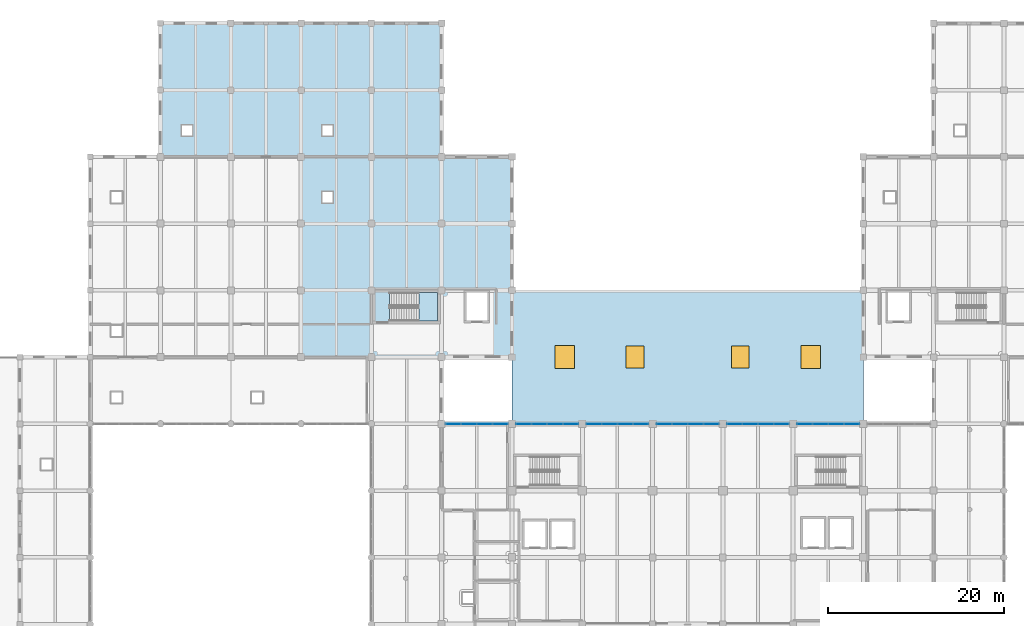
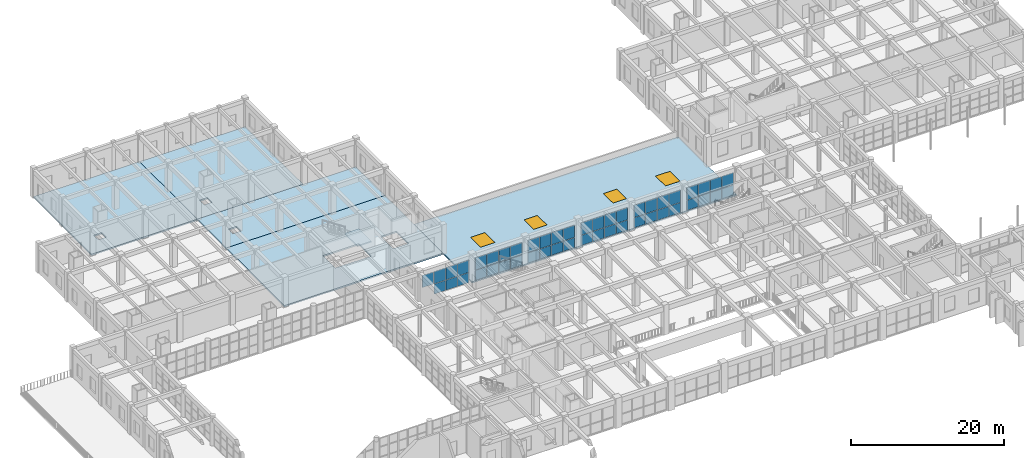
# One storey, part 67 of 101: 47 plates, 6 slabs, 4 windows, 4 openings, 7 elements without a shape of their own.
"""IFC4 building model written with IfcOpenShell, lengths in metres."""

from ifc_helpers import new_model, si_unit, direction, frame, origin, origin_2d, place, context, subcontext, project, spatial, polyline, rectangle, outline, extrude, material, layer, layer_set, type_object, element, fill, aggregate, save


model = new_model("IFC4")

# Units and contexts
model_context = context("Model", 3, precision=1e-05, world=origin(), true_north=direction((0.0, 1.0)))
body_context = subcontext(model_context, "Body", "Model", "MODEL_VIEW")
ifc_project = project(units=[si_unit("LENGTHUNIT", "METRE"), si_unit("AREAUNIT", "SQUARE_METRE"), si_unit("VOLUMEUNIT", "CUBIC_METRE"), si_unit("PLANEANGLEUNIT", "RADIAN"), si_unit("MASSUNIT", "GRAM", prefix="KILO")], contexts=[model_context])

# Site, building, storey
site_placement = place(None, origin())
site = spatial("IfcSite", under=ifc_project, at=site_placement, CompositionType="ELEMENT")
building_placement = place(site_placement, origin())
building = spatial("IfcBuilding", under=site, at=building_placement, Name="Zantavel Square City Hall", CompositionType="ELEMENT")
storey_placement = place(building_placement, frame((0.0, 0.0, 5.39990234375)))
storey = spatial("IfcBuildingStorey", under=building, at=storey_placement, Name="L02", CompositionType="ELEMENT", Elevation=5.39990234375)

# Stair, slab
ifc_material_1 = material(Name="Concrete C35/45", Category="concrete")
stair_type = type_object("IfcStairType", Name="Enclosed Core Dogleg Stair L02 H4800", PredefinedType="HALF_TURN_STAIR", material=ifc_material_1)
stair_placement = place(storey_placement, origin())
stair = element("IfcStair", 1, at=stair_placement, inside=storey, type_object=stair_type, Name="L02 Exit Stair 1 North-West Core", PredefinedType="HALF_TURN_STAIR")
ifc_layer_1 = layer(ifc_material_1, 0.2099609375, Name="Concrete C35/45")
ifc_layer_set_1 = layer_set([ifc_layer_1], Name="Concrete C35/45")
slab_type_1 = type_object("IfcSlabType", Name="Core Stair Half-Landing Slab C35/45", PredefinedType="LANDING", material=ifc_layer_set_1)
slab_1_placement = place(storey_placement, frame((0.0, 0.0, 2.2001953125)))
slab_1 = element("IfcSlab", 2, at=slab_1_placement, type_object=slab_type_1, Name="ST1 landing 1", PredefinedType="LANDING", context=body_context, shape_type="SweptSolid", body=[
    extrude(outline(polyline([(53.389892578125, 80.10009765625), (55.530029296875, 80.10009765625), (55.530029296875, 83.3701171875), (53.389892578125, 83.3701171875), (53.389892578125, 80.10009765625)])), origin(), (0.0, 0.0, 1.0), 0.199951171875),
])
aggregate(stair, [slab_1])

# Slab, openings, windows
ifc_layer_2 = layer(ifc_material_1, 0.219970703125, Name="Concrete C35/45")
ifc_layer_set_2 = layer_set([ifc_layer_2], Name="Concrete C35/45")
slab_type_2 = type_object("IfcSlabType", Name="Insulated Flat Roof Slab 220mm C35/45", PredefinedType="ROOF", material=ifc_layer_set_2)
slab_2_placement = place(storey_placement, frame((0.0, 0.0, -0.219970703125)))
slab_2 = element("IfcSlab", 3, at=slab_2_placement, inside=storey, type_object=slab_type_2, Name="L02 North Gallery Link Flat Roof Slab", PredefinedType="ROOF", context=body_context, shape_type="SweptSolid", body=[
    extrude(outline(polyline([(104.0, 68.39990234375), (96.0, 68.39990234375), (80.0, 68.39990234375), (72.0, 68.39990234375), (64.0, 68.39990234375), (64.0, 76.0), (64.0, 83.60009765625), (104.0, 83.60009765625), (104.0, 76.0), (104.0, 68.39990234375)])), origin(), (0.0, 0.0, 1.0), 0.219970703125),
])
opening_1_placement = place(slab_2_placement, frame((70.0, 76.0, 0.0)))
opening_1 = element("IfcOpeningElement", 4, at=opening_1_placement, cuts=slab_2, Name="Opening SK-01", PredefinedType="OPENING", context=body_context, shape_type="SweptSolid", body=[
    extrude(rectangle(XDim=2.199951171875, YDim=2.60009765625, at=origin_2d()), frame((0.0, 0.0, -0.02001953125)), (0.0, 0.0, 1.0), 0.260009765625),
])
opening_2_placement = place(slab_2_placement, frame((78.0, 76.0, 0.0)))
opening_2 = element("IfcOpeningElement", 5, at=opening_2_placement, cuts=slab_2, Name="Opening SK-02", PredefinedType="OPENING", context=body_context, shape_type="SweptSolid", body=[
    extrude(rectangle(XDim=2.0, YDim=2.5, at=origin_2d()), frame((0.0, 0.0, -0.02001953125)), (0.0, 0.0, 1.0), 0.260009765625),
])
opening_3_placement = place(slab_2_placement, frame((90.0, 76.0, 0.0)))
opening_3 = element("IfcOpeningElement", 6, at=opening_3_placement, cuts=slab_2, Name="Opening SK-03", PredefinedType="OPENING", context=body_context, shape_type="SweptSolid", body=[
    extrude(rectangle(XDim=2.0, YDim=2.5, at=origin_2d()), frame((0.0, 0.0, -0.02001953125)), (0.0, 0.0, 1.0), 0.260009765625),
])
opening_4_placement = place(slab_2_placement, frame((98.0, 76.0, 0.0)))
opening_4 = element("IfcOpeningElement", 7, at=opening_4_placement, cuts=slab_2, Name="Opening SK-04", PredefinedType="OPENING", context=body_context, shape_type="SweptSolid", body=[
    extrude(rectangle(XDim=2.199951171875, YDim=2.60009765625, at=origin_2d()), frame((0.0, 0.0, -0.02001953125)), (0.0, 0.0, 1.0), 0.260009765625),
])
ifc_material_2 = material(Name="Tempered safety glass low-E double glazing", Category="glass")
window_type_1 = type_object("IfcWindowType", Name="Skylight Atrium Lantern 2000x2500", PartitioningType="DOUBLE_PANEL_HORIZONTAL", PredefinedType="SKYLIGHT", material=ifc_material_2)
window_1_placement = place(opening_2_placement, frame((0.0, 0.0, 0.169921875)))
window_1 = element("IfcWindow", 8, at=window_1_placement, inside=storey, type_object=window_type_1, Name="L02 Roof Skylight SK-02", OverallHeight=2.5, OverallWidth=2.0, PartitioningType="SINGLE_PANEL", PredefinedType="SKYLIGHT", context=body_context, shape_type="SweptSolid", body=[
    extrude(rectangle(XDim=2.0, YDim=2.5, at=origin_2d()), origin(), (0.0, 0.0, 1.0), 0.050048828125),
])
fill(opening_2, window_1)
window_2_placement = place(opening_3_placement, frame((0.0, 0.0, 0.169921875)))
window_2 = element("IfcWindow", 9, at=window_2_placement, inside=storey, type_object=window_type_1, Name="L02 Roof Skylight SK-03", OverallHeight=2.5, OverallWidth=2.0, PartitioningType="SINGLE_PANEL", PredefinedType="SKYLIGHT", context=body_context, shape_type="SweptSolid", body=[
    extrude(rectangle(XDim=2.0, YDim=2.5, at=origin_2d()), origin(), (0.0, 0.0, 1.0), 0.050048828125),
])
fill(opening_3, window_2)
window_type_2 = type_object("IfcWindowType", Name="Skylight Concourse Lantern 2200x2600", PartitioningType="DOUBLE_PANEL_HORIZONTAL", PredefinedType="SKYLIGHT", material=ifc_material_2)
window_3_placement = place(opening_1_placement, frame((0.0, 0.0, 0.169921875)))
window_3 = element("IfcWindow", 10, at=window_3_placement, inside=storey, type_object=window_type_2, Name="L02 Roof Skylight SK-01", OverallHeight=2.60009765625, OverallWidth=2.199951171875, PartitioningType="SINGLE_PANEL", PredefinedType="SKYLIGHT", context=body_context, shape_type="SweptSolid", body=[
    extrude(rectangle(XDim=2.199951171875, YDim=2.60009765625, at=origin_2d()), origin(), (0.0, 0.0, 1.0), 0.050048828125),
])
fill(opening_1, window_3)
window_4_placement = place(opening_4_placement, frame((0.0, 0.0, 0.169921875)))
window_4 = element("IfcWindow", 11, at=window_4_placement, inside=storey, type_object=window_type_2, Name="L02 Roof Skylight SK-04", OverallHeight=2.60009765625, OverallWidth=2.199951171875, PartitioningType="SINGLE_PANEL", PredefinedType="SKYLIGHT", context=body_context, shape_type="SweptSolid", body=[
    extrude(rectangle(XDim=2.199951171875, YDim=2.60009765625, at=origin_2d()), origin(), (0.0, 0.0, 1.0), 0.050048828125),
])
fill(opening_4, window_4)

# Curtain wall, plates
ifc_material_3 = material(Name="Anodised aluminium 6063-T6", Category="aluminium")
curtain_wall_type_1 = type_object("IfcCurtainWallType", Name="Curtain Wall TRV1 7150x3740", PredefinedType="USERDEFINED", material=ifc_material_3)
curtain_wall_1_placement = place(storey_placement, origin())
curtain_wall_1 = element("IfcCurtainWall", 12, at=curtain_wall_1_placement, inside=storey, type_object=curtain_wall_type_1, Name="L02 Glazed Curtain Wall CW-L02-038", ObjectType="GLAZED CURTAIN WALL", PredefinedType="USERDEFINED")
ifc_layer_3 = layer(ifc_material_2, 0.028076171875, Name="Tempered safety glass low-E double glazing")
ifc_layer_set_3 = layer_set([ifc_layer_3], Name="Tempered safety glass low-E double glazing")
plate_type_1 = type_object("IfcPlateType", Name="Low-E Curtain Glazing Panel 1788x1870x28", PredefinedType="CURTAIN_PANEL", material=ifc_layer_set_3)
plate_1_placement = place(storey_placement, frame((65.333740234375, 68.39990234375, 0.06005859375), z_axis=(0.0, 0.0, 1.0), x_axis=(1.0, 0.0, 0.0)))
plate_1 = element("IfcPlate", 13, at=plate_1_placement, type_object=plate_type_1, Name="CW-038 panel 1.1", PredefinedType="CURTAIN_PANEL", context=body_context, shape_type="SweptSolid", body=[
    extrude(rectangle(XDim=1.697509765625, YDim=0.028076171875, at=origin_2d()), origin(), (0.0, 0.0, 1.0), 1.593017578125),
])
plate_2_placement = place(storey_placement, frame((65.333740234375, 68.39990234375, 1.712890625), z_axis=(0.0, 0.0, 1.0), x_axis=(1.0, 0.0, 0.0)))
plate_2 = element("IfcPlate", 14, at=plate_2_placement, type_object=plate_type_1, Name="CW-038 panel 1.2", PredefinedType="CURTAIN_PANEL", context=body_context, shape_type="SweptSolid", body=[
    extrude(rectangle(XDim=1.697509765625, YDim=0.028076171875, at=origin_2d()), origin(), (0.0, 0.0, 1.0), 1.967041015625),
])
plate_3_placement = place(storey_placement, frame((67.106201171875, 68.39990234375, 0.06005859375), z_axis=(0.0, 0.0, 1.0), x_axis=(1.0, 0.0, 0.0)))
plate_3 = element("IfcPlate", 15, at=plate_3_placement, type_object=plate_type_1, Name="CW-038 panel 2.1", PredefinedType="CURTAIN_PANEL", context=body_context, shape_type="SweptSolid", body=[
    extrude(rectangle(XDim=1.7275390625, YDim=0.028076171875, at=origin_2d()), origin(), (0.0, 0.0, 1.0), 1.593017578125),
])
plate_4_placement = place(storey_placement, frame((67.106201171875, 68.39990234375, 1.712890625), z_axis=(0.0, 0.0, 1.0), x_axis=(1.0, 0.0, 0.0)))
plate_4 = element("IfcPlate", 16, at=plate_4_placement, type_object=plate_type_1, Name="CW-038 panel 2.2", PredefinedType="CURTAIN_PANEL", context=body_context, shape_type="SweptSolid", body=[
    extrude(rectangle(XDim=1.7275390625, YDim=0.028076171875, at=origin_2d()), origin(), (0.0, 0.0, 1.0), 1.967041015625),
])
plate_5_placement = place(storey_placement, frame((68.893798828125, 68.39990234375, 0.06005859375), z_axis=(0.0, 0.0, 1.0), x_axis=(1.0, 0.0, 0.0)))
plate_5 = element("IfcPlate", 17, at=plate_5_placement, type_object=plate_type_1, Name="CW-038 panel 3.1", PredefinedType="CURTAIN_PANEL", context=body_context, shape_type="SweptSolid", body=[
    extrude(rectangle(XDim=1.7275390625, YDim=0.028076171875, at=origin_2d()), origin(), (0.0, 0.0, 1.0), 1.593017578125),
])
plate_6_placement = place(storey_placement, frame((68.893798828125, 68.39990234375, 1.712890625), z_axis=(0.0, 0.0, 1.0), x_axis=(1.0, 0.0, 0.0)))
plate_6 = element("IfcPlate", 18, at=plate_6_placement, type_object=plate_type_1, Name="CW-038 panel 3.2", PredefinedType="CURTAIN_PANEL", context=body_context, shape_type="SweptSolid", body=[
    extrude(rectangle(XDim=1.7275390625, YDim=0.028076171875, at=origin_2d()), origin(), (0.0, 0.0, 1.0), 1.967041015625),
])
plate_7_placement = place(storey_placement, frame((70.666259765625, 68.39990234375, 0.06005859375), z_axis=(0.0, 0.0, 1.0), x_axis=(1.0, 0.0, 0.0)))
plate_7 = element("IfcPlate", 19, at=plate_7_placement, type_object=plate_type_1, Name="CW-038 panel 4.1", PredefinedType="CURTAIN_PANEL", context=body_context, shape_type="SweptSolid", body=[
    extrude(rectangle(XDim=1.697509765625, YDim=0.028076171875, at=origin_2d()), origin(), (0.0, 0.0, 1.0), 1.593017578125),
])
plate_8_placement = place(storey_placement, frame((70.666259765625, 68.39990234375, 1.712890625), z_axis=(0.0, 0.0, 1.0), x_axis=(1.0, 0.0, 0.0)))
plate_8 = element("IfcPlate", 20, at=plate_8_placement, type_object=plate_type_1, Name="CW-038 panel 4.2", PredefinedType="CURTAIN_PANEL", context=body_context, shape_type="SweptSolid", body=[
    extrude(rectangle(XDim=1.697509765625, YDim=0.028076171875, at=origin_2d()), origin(), (0.0, 0.0, 1.0), 1.967041015625),
])
aggregate(curtain_wall_1, [plate_1, plate_2, plate_3, plate_4, plate_5, plate_6, plate_7, plate_8])

curtain_wall_2_placement = place(storey_placement, origin())
curtain_wall_2 = element("IfcCurtainWall", 21, at=curtain_wall_2_placement, inside=storey, type_object=curtain_wall_type_1, Name="L02 Glazed Curtain Wall CW-L02-039", ObjectType="GLAZED CURTAIN WALL", PredefinedType="USERDEFINED")
plate_9_placement = place(storey_placement, frame((73.333740234375, 68.39990234375, 0.06005859375), z_axis=(0.0, 0.0, 1.0), x_axis=(1.0, 0.0, 0.0)))
plate_9 = element("IfcPlate", 22, at=plate_9_placement, type_object=plate_type_1, Name="CW-039 panel 1.1", PredefinedType="CURTAIN_PANEL", context=body_context, shape_type="SweptSolid", body=[
    extrude(rectangle(XDim=1.697509765625, YDim=0.028076171875, at=origin_2d()), origin(), (0.0, 0.0, 1.0), 1.593017578125),
])
plate_10_placement = place(storey_placement, frame((73.333740234375, 68.39990234375, 1.712890625), z_axis=(0.0, 0.0, 1.0), x_axis=(1.0, 0.0, 0.0)))
plate_10 = element("IfcPlate", 23, at=plate_10_placement, type_object=plate_type_1, Name="CW-039 panel 1.2", PredefinedType="CURTAIN_PANEL", context=body_context, shape_type="SweptSolid", body=[
    extrude(rectangle(XDim=1.697509765625, YDim=0.028076171875, at=origin_2d()), origin(), (0.0, 0.0, 1.0), 1.967041015625),
])
plate_11_placement = place(storey_placement, frame((75.106201171875, 68.39990234375, 0.06005859375), z_axis=(0.0, 0.0, 1.0), x_axis=(1.0, 0.0, 0.0)))
plate_11 = element("IfcPlate", 24, at=plate_11_placement, type_object=plate_type_1, Name="CW-039 panel 2.1", PredefinedType="CURTAIN_PANEL", context=body_context, shape_type="SweptSolid", body=[
    extrude(rectangle(XDim=1.7275390625, YDim=0.028076171875, at=origin_2d()), origin(), (0.0, 0.0, 1.0), 1.593017578125),
])
plate_12_placement = place(storey_placement, frame((75.106201171875, 68.39990234375, 1.712890625), z_axis=(0.0, 0.0, 1.0), x_axis=(1.0, 0.0, 0.0)))
plate_12 = element("IfcPlate", 25, at=plate_12_placement, type_object=plate_type_1, Name="CW-039 panel 2.2", PredefinedType="CURTAIN_PANEL", context=body_context, shape_type="SweptSolid", body=[
    extrude(rectangle(XDim=1.7275390625, YDim=0.028076171875, at=origin_2d()), origin(), (0.0, 0.0, 1.0), 1.967041015625),
])
plate_13_placement = place(storey_placement, frame((76.893798828125, 68.39990234375, 0.06005859375), z_axis=(0.0, 0.0, 1.0), x_axis=(1.0, 0.0, 0.0)))
plate_13 = element("IfcPlate", 26, at=plate_13_placement, type_object=plate_type_1, Name="CW-039 panel 3.1", PredefinedType="CURTAIN_PANEL", context=body_context, shape_type="SweptSolid", body=[
    extrude(rectangle(XDim=1.7275390625, YDim=0.028076171875, at=origin_2d()), origin(), (0.0, 0.0, 1.0), 1.593017578125),
])
plate_14_placement = place(storey_placement, frame((76.893798828125, 68.39990234375, 1.712890625), z_axis=(0.0, 0.0, 1.0), x_axis=(1.0, 0.0, 0.0)))
plate_14 = element("IfcPlate", 27, at=plate_14_placement, type_object=plate_type_1, Name="CW-039 panel 3.2", PredefinedType="CURTAIN_PANEL", context=body_context, shape_type="SweptSolid", body=[
    extrude(rectangle(XDim=1.7275390625, YDim=0.028076171875, at=origin_2d()), origin(), (0.0, 0.0, 1.0), 1.967041015625),
])
plate_15_placement = place(storey_placement, frame((78.666259765625, 68.39990234375, 0.06005859375), z_axis=(0.0, 0.0, 1.0), x_axis=(1.0, 0.0, 0.0)))
plate_15 = element("IfcPlate", 28, at=plate_15_placement, type_object=plate_type_1, Name="CW-039 panel 4.1", PredefinedType="CURTAIN_PANEL", context=body_context, shape_type="SweptSolid", body=[
    extrude(rectangle(XDim=1.697509765625, YDim=0.028076171875, at=origin_2d()), origin(), (0.0, 0.0, 1.0), 1.593017578125),
])
plate_16_placement = place(storey_placement, frame((78.666259765625, 68.39990234375, 1.712890625), z_axis=(0.0, 0.0, 1.0), x_axis=(1.0, 0.0, 0.0)))
plate_16 = element("IfcPlate", 29, at=plate_16_placement, type_object=plate_type_1, Name="CW-039 panel 4.2", PredefinedType="CURTAIN_PANEL", context=body_context, shape_type="SweptSolid", body=[
    extrude(rectangle(XDim=1.697509765625, YDim=0.028076171875, at=origin_2d()), origin(), (0.0, 0.0, 1.0), 1.967041015625),
])
aggregate(curtain_wall_2, [plate_9, plate_10, plate_11, plate_12, plate_13, plate_14, plate_15, plate_16])

curtain_wall_3_placement = place(storey_placement, origin())
curtain_wall_3 = element("IfcCurtainWall", 30, at=curtain_wall_3_placement, inside=storey, type_object=curtain_wall_type_1, Name="L02 Glazed Curtain Wall CW-L02-040", ObjectType="GLAZED CURTAIN WALL", PredefinedType="USERDEFINED")
plate_17_placement = place(storey_placement, frame((81.333740234375, 68.39990234375, 0.06005859375), z_axis=(0.0, 0.0, 1.0), x_axis=(1.0, 0.0, 0.0)))
plate_17 = element("IfcPlate", 31, at=plate_17_placement, type_object=plate_type_1, Name="CW-040 panel 1.1", PredefinedType="CURTAIN_PANEL", context=body_context, shape_type="SweptSolid", body=[
    extrude(rectangle(XDim=1.697509765625, YDim=0.028076171875, at=origin_2d()), origin(), (0.0, 0.0, 1.0), 1.593017578125),
])
plate_18_placement = place(storey_placement, frame((81.333740234375, 68.39990234375, 1.712890625), z_axis=(0.0, 0.0, 1.0), x_axis=(1.0, 0.0, 0.0)))
plate_18 = element("IfcPlate", 32, at=plate_18_placement, type_object=plate_type_1, Name="CW-040 panel 1.2", PredefinedType="CURTAIN_PANEL", context=body_context, shape_type="SweptSolid", body=[
    extrude(rectangle(XDim=1.697509765625, YDim=0.028076171875, at=origin_2d()), origin(), (0.0, 0.0, 1.0), 1.967041015625),
])
plate_19_placement = place(storey_placement, frame((83.106201171875, 68.39990234375, 0.06005859375), z_axis=(0.0, 0.0, 1.0), x_axis=(1.0, 0.0, 0.0)))
plate_19 = element("IfcPlate", 33, at=plate_19_placement, type_object=plate_type_1, Name="CW-040 panel 2.1", PredefinedType="CURTAIN_PANEL", context=body_context, shape_type="SweptSolid", body=[
    extrude(rectangle(XDim=1.7275390625, YDim=0.028076171875, at=origin_2d()), origin(), (0.0, 0.0, 1.0), 1.593017578125),
])
plate_20_placement = place(storey_placement, frame((83.106201171875, 68.39990234375, 1.712890625), z_axis=(0.0, 0.0, 1.0), x_axis=(1.0, 0.0, 0.0)))
plate_20 = element("IfcPlate", 34, at=plate_20_placement, type_object=plate_type_1, Name="CW-040 panel 2.2", PredefinedType="CURTAIN_PANEL", context=body_context, shape_type="SweptSolid", body=[
    extrude(rectangle(XDim=1.7275390625, YDim=0.028076171875, at=origin_2d()), origin(), (0.0, 0.0, 1.0), 1.967041015625),
])
plate_21_placement = place(storey_placement, frame((84.893798828125, 68.39990234375, 0.06005859375), z_axis=(0.0, 0.0, 1.0), x_axis=(1.0, 0.0, 0.0)))
plate_21 = element("IfcPlate", 35, at=plate_21_placement, type_object=plate_type_1, Name="CW-040 panel 3.1", PredefinedType="CURTAIN_PANEL", context=body_context, shape_type="SweptSolid", body=[
    extrude(rectangle(XDim=1.7275390625, YDim=0.028076171875, at=origin_2d()), origin(), (0.0, 0.0, 1.0), 1.593017578125),
])
plate_22_placement = place(storey_placement, frame((84.893798828125, 68.39990234375, 1.712890625), z_axis=(0.0, 0.0, 1.0), x_axis=(1.0, 0.0, 0.0)))
plate_22 = element("IfcPlate", 36, at=plate_22_placement, type_object=plate_type_1, Name="CW-040 panel 3.2", PredefinedType="CURTAIN_PANEL", context=body_context, shape_type="SweptSolid", body=[
    extrude(rectangle(XDim=1.7275390625, YDim=0.028076171875, at=origin_2d()), origin(), (0.0, 0.0, 1.0), 1.967041015625),
])
plate_23_placement = place(storey_placement, frame((86.666259765625, 68.39990234375, 0.06005859375), z_axis=(0.0, 0.0, 1.0), x_axis=(1.0, 0.0, 0.0)))
plate_23 = element("IfcPlate", 37, at=plate_23_placement, type_object=plate_type_1, Name="CW-040 panel 4.1", PredefinedType="CURTAIN_PANEL", context=body_context, shape_type="SweptSolid", body=[
    extrude(rectangle(XDim=1.697509765625, YDim=0.028076171875, at=origin_2d()), origin(), (0.0, 0.0, 1.0), 1.593017578125),
])
plate_24_placement = place(storey_placement, frame((86.666259765625, 68.39990234375, 1.712890625), z_axis=(0.0, 0.0, 1.0), x_axis=(1.0, 0.0, 0.0)))
plate_24 = element("IfcPlate", 38, at=plate_24_placement, type_object=plate_type_1, Name="CW-040 panel 4.2", PredefinedType="CURTAIN_PANEL", context=body_context, shape_type="SweptSolid", body=[
    extrude(rectangle(XDim=1.697509765625, YDim=0.028076171875, at=origin_2d()), origin(), (0.0, 0.0, 1.0), 1.967041015625),
])
aggregate(curtain_wall_3, [plate_17, plate_18, plate_19, plate_20, plate_21, plate_22, plate_23, plate_24])

curtain_wall_4_placement = place(storey_placement, origin())
curtain_wall_4 = element("IfcCurtainWall", 39, at=curtain_wall_4_placement, inside=storey, type_object=curtain_wall_type_1, Name="L02 Glazed Curtain Wall CW-L02-041", ObjectType="GLAZED CURTAIN WALL", PredefinedType="USERDEFINED")
plate_25_placement = place(storey_placement, frame((89.333740234375, 68.39990234375, 0.06005859375), z_axis=(0.0, 0.0, 1.0), x_axis=(1.0, 0.0, 0.0)))
plate_25 = element("IfcPlate", 40, at=plate_25_placement, type_object=plate_type_1, Name="CW-041 panel 1.1", PredefinedType="CURTAIN_PANEL", context=body_context, shape_type="SweptSolid", body=[
    extrude(rectangle(XDim=1.697509765625, YDim=0.028076171875, at=origin_2d()), origin(), (0.0, 0.0, 1.0), 1.593017578125),
])
plate_26_placement = place(storey_placement, frame((89.333740234375, 68.39990234375, 1.712890625), z_axis=(0.0, 0.0, 1.0), x_axis=(1.0, 0.0, 0.0)))
plate_26 = element("IfcPlate", 41, at=plate_26_placement, type_object=plate_type_1, Name="CW-041 panel 1.2", PredefinedType="CURTAIN_PANEL", context=body_context, shape_type="SweptSolid", body=[
    extrude(rectangle(XDim=1.697509765625, YDim=0.028076171875, at=origin_2d()), origin(), (0.0, 0.0, 1.0), 1.967041015625),
])
plate_27_placement = place(storey_placement, frame((91.106201171875, 68.39990234375, 0.06005859375), z_axis=(0.0, 0.0, 1.0), x_axis=(1.0, 0.0, 0.0)))
plate_27 = element("IfcPlate", 42, at=plate_27_placement, type_object=plate_type_1, Name="CW-041 panel 2.1", PredefinedType="CURTAIN_PANEL", context=body_context, shape_type="SweptSolid", body=[
    extrude(rectangle(XDim=1.7275390625, YDim=0.028076171875, at=origin_2d()), origin(), (0.0, 0.0, 1.0), 1.593017578125),
])
plate_28_placement = place(storey_placement, frame((91.106201171875, 68.39990234375, 1.712890625), z_axis=(0.0, 0.0, 1.0), x_axis=(1.0, 0.0, 0.0)))
plate_28 = element("IfcPlate", 43, at=plate_28_placement, type_object=plate_type_1, Name="CW-041 panel 2.2", PredefinedType="CURTAIN_PANEL", context=body_context, shape_type="SweptSolid", body=[
    extrude(rectangle(XDim=1.7275390625, YDim=0.028076171875, at=origin_2d()), origin(), (0.0, 0.0, 1.0), 1.967041015625),
])
plate_29_placement = place(storey_placement, frame((92.893798828125, 68.39990234375, 0.06005859375), z_axis=(0.0, 0.0, 1.0), x_axis=(1.0, 0.0, 0.0)))
plate_29 = element("IfcPlate", 44, at=plate_29_placement, type_object=plate_type_1, Name="CW-041 panel 3.1", PredefinedType="CURTAIN_PANEL", context=body_context, shape_type="SweptSolid", body=[
    extrude(rectangle(XDim=1.7275390625, YDim=0.028076171875, at=origin_2d()), origin(), (0.0, 0.0, 1.0), 1.593017578125),
])
plate_30_placement = place(storey_placement, frame((92.893798828125, 68.39990234375, 1.712890625), z_axis=(0.0, 0.0, 1.0), x_axis=(1.0, 0.0, 0.0)))
plate_30 = element("IfcPlate", 45, at=plate_30_placement, type_object=plate_type_1, Name="CW-041 panel 3.2", PredefinedType="CURTAIN_PANEL", context=body_context, shape_type="SweptSolid", body=[
    extrude(rectangle(XDim=1.7275390625, YDim=0.028076171875, at=origin_2d()), origin(), (0.0, 0.0, 1.0), 1.967041015625),
])
plate_31_placement = place(storey_placement, frame((94.666259765625, 68.39990234375, 0.06005859375), z_axis=(0.0, 0.0, 1.0), x_axis=(1.0, 0.0, 0.0)))
plate_31 = element("IfcPlate", 46, at=plate_31_placement, type_object=plate_type_1, Name="CW-041 panel 4.1", PredefinedType="CURTAIN_PANEL", context=body_context, shape_type="SweptSolid", body=[
    extrude(rectangle(XDim=1.697509765625, YDim=0.028076171875, at=origin_2d()), origin(), (0.0, 0.0, 1.0), 1.593017578125),
])
plate_32_placement = place(storey_placement, frame((94.666259765625, 68.39990234375, 1.712890625), z_axis=(0.0, 0.0, 1.0), x_axis=(1.0, 0.0, 0.0)))
plate_32 = element("IfcPlate", 47, at=plate_32_placement, type_object=plate_type_1, Name="CW-041 panel 4.2", PredefinedType="CURTAIN_PANEL", context=body_context, shape_type="SweptSolid", body=[
    extrude(rectangle(XDim=1.697509765625, YDim=0.028076171875, at=origin_2d()), origin(), (0.0, 0.0, 1.0), 1.967041015625),
])
aggregate(curtain_wall_4, [plate_25, plate_26, plate_27, plate_28, plate_29, plate_30, plate_31, plate_32])

curtain_wall_5_placement = place(storey_placement, origin())
curtain_wall_5 = element("IfcCurtainWall", 48, at=curtain_wall_5_placement, inside=storey, type_object=curtain_wall_type_1, Name="L02 Glazed Curtain Wall CW-L02-042", ObjectType="GLAZED CURTAIN WALL", PredefinedType="USERDEFINED")
plate_33_placement = place(storey_placement, frame((97.333740234375, 68.39990234375, 0.06005859375), z_axis=(0.0, 0.0, 1.0), x_axis=(1.0, 0.0, 0.0)))
plate_33 = element("IfcPlate", 49, at=plate_33_placement, type_object=plate_type_1, Name="CW-042 panel 1.1", PredefinedType="CURTAIN_PANEL", context=body_context, shape_type="SweptSolid", body=[
    extrude(rectangle(XDim=1.697509765625, YDim=0.028076171875, at=origin_2d()), origin(), (0.0, 0.0, 1.0), 1.593017578125),
])
plate_34_placement = place(storey_placement, frame((97.333740234375, 68.39990234375, 1.712890625), z_axis=(0.0, 0.0, 1.0), x_axis=(1.0, 0.0, 0.0)))
plate_34 = element("IfcPlate", 50, at=plate_34_placement, type_object=plate_type_1, Name="CW-042 panel 1.2", PredefinedType="CURTAIN_PANEL", context=body_context, shape_type="SweptSolid", body=[
    extrude(rectangle(XDim=1.697509765625, YDim=0.028076171875, at=origin_2d()), origin(), (0.0, 0.0, 1.0), 1.967041015625),
])
plate_35_placement = place(storey_placement, frame((99.106201171875, 68.39990234375, 0.06005859375), z_axis=(0.0, 0.0, 1.0), x_axis=(1.0, 0.0, 0.0)))
plate_35 = element("IfcPlate", 51, at=plate_35_placement, type_object=plate_type_1, Name="CW-042 panel 2.1", PredefinedType="CURTAIN_PANEL", context=body_context, shape_type="SweptSolid", body=[
    extrude(rectangle(XDim=1.7275390625, YDim=0.028076171875, at=origin_2d()), origin(), (0.0, 0.0, 1.0), 1.593017578125),
])
plate_36_placement = place(storey_placement, frame((99.106201171875, 68.39990234375, 1.712890625), z_axis=(0.0, 0.0, 1.0), x_axis=(1.0, 0.0, 0.0)))
plate_36 = element("IfcPlate", 52, at=plate_36_placement, type_object=plate_type_1, Name="CW-042 panel 2.2", PredefinedType="CURTAIN_PANEL", context=body_context, shape_type="SweptSolid", body=[
    extrude(rectangle(XDim=1.7275390625, YDim=0.028076171875, at=origin_2d()), origin(), (0.0, 0.0, 1.0), 1.967041015625),
])
plate_37_placement = place(storey_placement, frame((100.893798828125, 68.39990234375, 0.06005859375), z_axis=(0.0, 0.0, 1.0), x_axis=(1.0, 0.0, 0.0)))
plate_37 = element("IfcPlate", 53, at=plate_37_placement, type_object=plate_type_1, Name="CW-042 panel 3.1", PredefinedType="CURTAIN_PANEL", context=body_context, shape_type="SweptSolid", body=[
    extrude(rectangle(XDim=1.7275390625, YDim=0.028076171875, at=origin_2d()), origin(), (0.0, 0.0, 1.0), 1.593017578125),
])
plate_38_placement = place(storey_placement, frame((100.893798828125, 68.39990234375, 1.712890625), z_axis=(0.0, 0.0, 1.0), x_axis=(1.0, 0.0, 0.0)))
plate_38 = element("IfcPlate", 54, at=plate_38_placement, type_object=plate_type_1, Name="CW-042 panel 3.2", PredefinedType="CURTAIN_PANEL", context=body_context, shape_type="SweptSolid", body=[
    extrude(rectangle(XDim=1.7275390625, YDim=0.028076171875, at=origin_2d()), origin(), (0.0, 0.0, 1.0), 1.967041015625),
])
plate_39_placement = place(storey_placement, frame((102.666259765625, 68.39990234375, 0.06005859375), z_axis=(0.0, 0.0, 1.0), x_axis=(1.0, 0.0, 0.0)))
plate_39 = element("IfcPlate", 55, at=plate_39_placement, type_object=plate_type_1, Name="CW-042 panel 4.1", PredefinedType="CURTAIN_PANEL", context=body_context, shape_type="SweptSolid", body=[
    extrude(rectangle(XDim=1.697509765625, YDim=0.028076171875, at=origin_2d()), origin(), (0.0, 0.0, 1.0), 1.593017578125),
])
plate_40_placement = place(storey_placement, frame((102.666259765625, 68.39990234375, 1.712890625), z_axis=(0.0, 0.0, 1.0), x_axis=(1.0, 0.0, 0.0)))
plate_40 = element("IfcPlate", 56, at=plate_40_placement, type_object=plate_type_1, Name="CW-042 panel 4.2", PredefinedType="CURTAIN_PANEL", context=body_context, shape_type="SweptSolid", body=[
    extrude(rectangle(XDim=1.697509765625, YDim=0.028076171875, at=origin_2d()), origin(), (0.0, 0.0, 1.0), 1.967041015625),
])
aggregate(curtain_wall_5, [plate_33, plate_34, plate_35, plate_36, plate_37, plate_38, plate_39, plate_40])

curtain_wall_type_2 = type_object("IfcCurtainWallType", Name="Curtain Wall TRV1 7175x3740", PredefinedType="USERDEFINED", material=ifc_material_3)
curtain_wall_6_placement = place(storey_placement, origin())
curtain_wall_6 = element("IfcCurtainWall", 57, at=curtain_wall_6_placement, inside=storey, type_object=curtain_wall_type_2, Name="L02 Glazed Curtain Wall CW-L02-037", ObjectType="GLAZED CURTAIN WALL", PredefinedType="USERDEFINED")
ifc_layer_4 = layer(ifc_material_2, 0.028076171875, Name="Tempered safety glass low-E double glazing")
ifc_layer_set_4 = layer_set([ifc_layer_4], Name="Tempered safety glass low-E double glazing")
plate_type_2 = type_object("IfcPlateType", Name="Low-E Curtain Glazing Panel 1794x1870x28", PredefinedType="CURTAIN_PANEL", material=ifc_layer_set_4)
plate_41_placement = place(storey_placement, frame((57.311767578125, 68.39990234375, 1.712890625), z_axis=(0.0, 0.0, 1.0), x_axis=(1.0, 0.0, 0.0)))
plate_41 = element("IfcPlate", 58, at=plate_41_placement, type_object=plate_type_2, Name="CW-037 panel 1.2", PredefinedType="CURTAIN_PANEL", context=body_context, shape_type="SweptSolid", body=[
    extrude(rectangle(XDim=1.703857421875, YDim=0.028076171875, at=origin_2d()), origin(), (0.0, 0.0, 1.0), 1.967041015625),
])
plate_42_placement = place(storey_placement, frame((59.090576171875, 68.39990234375, 0.06005859375), z_axis=(0.0, 0.0, 1.0), x_axis=(1.0, 0.0, 0.0)))
plate_42 = element("IfcPlate", 59, at=plate_42_placement, type_object=plate_type_2, Name="CW-037 panel 2.1", PredefinedType="CURTAIN_PANEL", context=body_context, shape_type="SweptSolid", body=[
    extrude(rectangle(XDim=1.733642578125, YDim=0.028076171875, at=origin_2d()), origin(), (0.0, 0.0, 1.0), 1.593017578125),
])
plate_43_placement = place(storey_placement, frame((59.090576171875, 68.39990234375, 1.712890625), z_axis=(0.0, 0.0, 1.0), x_axis=(1.0, 0.0, 0.0)))
plate_43 = element("IfcPlate", 60, at=plate_43_placement, type_object=plate_type_2, Name="CW-037 panel 2.2", PredefinedType="CURTAIN_PANEL", context=body_context, shape_type="SweptSolid", body=[
    extrude(rectangle(XDim=1.733642578125, YDim=0.028076171875, at=origin_2d()), origin(), (0.0, 0.0, 1.0), 1.967041015625),
])
plate_44_placement = place(storey_placement, frame((60.88427734375, 68.39990234375, 0.06005859375), z_axis=(0.0, 0.0, 1.0), x_axis=(1.0, 0.0, 0.0)))
plate_44 = element("IfcPlate", 61, at=plate_44_placement, type_object=plate_type_2, Name="CW-037 panel 3.1", PredefinedType="CURTAIN_PANEL", context=body_context, shape_type="SweptSolid", body=[
    extrude(rectangle(XDim=1.733642578125, YDim=0.028076171875, at=origin_2d()), origin(), (0.0, 0.0, 1.0), 1.593017578125),
])
plate_45_placement = place(storey_placement, frame((60.88427734375, 68.39990234375, 1.712890625), z_axis=(0.0, 0.0, 1.0), x_axis=(1.0, 0.0, 0.0)))
plate_45 = element("IfcPlate", 62, at=plate_45_placement, type_object=plate_type_2, Name="CW-037 panel 3.2", PredefinedType="CURTAIN_PANEL", context=body_context, shape_type="SweptSolid", body=[
    extrude(rectangle(XDim=1.733642578125, YDim=0.028076171875, at=origin_2d()), origin(), (0.0, 0.0, 1.0), 1.967041015625),
])
plate_46_placement = place(storey_placement, frame((62.6630859375, 68.39990234375, 0.06005859375), z_axis=(0.0, 0.0, 1.0), x_axis=(1.0, 0.0, 0.0)))
plate_46 = element("IfcPlate", 63, at=plate_46_placement, type_object=plate_type_2, Name="CW-037 panel 4.1", PredefinedType="CURTAIN_PANEL", context=body_context, shape_type="SweptSolid", body=[
    extrude(rectangle(XDim=1.703857421875, YDim=0.028076171875, at=origin_2d()), origin(), (0.0, 0.0, 1.0), 1.593017578125),
])
plate_47_placement = place(storey_placement, frame((62.6630859375, 68.39990234375, 1.712890625), z_axis=(0.0, 0.0, 1.0), x_axis=(1.0, 0.0, 0.0)))
plate_47 = element("IfcPlate", 64, at=plate_47_placement, type_object=plate_type_2, Name="CW-037 panel 4.2", PredefinedType="CURTAIN_PANEL", context=body_context, shape_type="SweptSolid", body=[
    extrude(rectangle(XDim=1.703857421875, YDim=0.028076171875, at=origin_2d()), origin(), (0.0, 0.0, 1.0), 1.967041015625),
])
aggregate(curtain_wall_6, [plate_41, plate_42, plate_43, plate_44, plate_45, plate_46, plate_47])

# Slabs
ifc_layer_5 = layer(ifc_material_1, 0.239990234375, Name="Concrete C35/45")
ifc_layer_set_5 = layer_set([ifc_layer_5], Name="Concrete C35/45")
slab_type_3 = type_object("IfcSlabType", Name="Standard Office Floor Slab 240mm C35/45", PredefinedType="FLOOR", material=ifc_layer_set_5)
slab_3_placement = place(storey_placement, frame((0.0, 0.0, -0.239990234375)))
element("IfcSlab", 65, at=slab_3_placement, inside=storey, type_object=slab_type_3, Name="L02 Floor Slab SLB-L02-V5M-02", PredefinedType="FLOOR", context=body_context, shape_type="SweptSolid", body=[
    extrude(outline(polyline([(56.0, 76.0), (48.0, 76.0), (40.0, 76.0), (40.0, 91.199951171875), (64.0, 91.199951171875), (64.0, 76.0), (56.0, 76.0)]), holes=[polyline([(50.050048828125, 83.3701171875), (50.050048828125, 80.10009765625), (55.530029296875, 80.10009765625), (55.530029296875, 83.3701171875), (50.050048828125, 83.3701171875)]), polyline([(61.199951171875, 83.35009765625), (58.800048828125, 83.35009765625), (58.800048828125, 80.14990234375), (61.199951171875, 80.14990234375), (61.199951171875, 83.35009765625)])]), origin(), (0.0, 0.0, 1.0), 0.239990234375),
])
slab_4_placement = place(storey_placement, frame((0.0, 0.0, -0.239990234375)))
element("IfcSlab", 66, at=slab_4_placement, inside=storey, type_object=slab_type_3, Name="L02 Floor Slab SLB-L02-V5M-04", PredefinedType="FLOOR", context=body_context, shape_type="SweptSolid", body=[
    extrude(outline(polyline([(64.0, 91.199951171875), (40.0, 91.199951171875), (40.0, 98.800048828125), (64.0, 98.800048828125), (64.0, 91.199951171875)]), holes=[polyline([(43.60009765625, 94.800048828125), (42.39990234375, 94.800048828125), (42.39990234375, 93.60009765625), (43.60009765625, 93.60009765625), (43.60009765625, 94.800048828125)])]), origin(), (0.0, 0.0, 1.0), 0.239990234375),
])
slab_5_placement = place(storey_placement, frame((0.0, 0.0, -0.239990234375)))
element("IfcSlab", 67, at=slab_5_placement, inside=storey, type_object=slab_type_3, Name="L02 Floor Slab SLB-L02-V5N-01", PredefinedType="FLOOR", context=body_context, shape_type="SweptSolid", body=[
    extrude(outline(polyline([(40.0, 114.0), (40.0, 98.800048828125), (24.0, 98.800048828125), (24.0, 114.0), (40.0, 114.0)]), holes=[polyline([(27.60009765625, 102.39990234375), (26.39990234375, 102.39990234375), (26.39990234375, 101.199951171875), (27.60009765625, 101.199951171875), (27.60009765625, 102.39990234375)])]), origin(), (0.0, 0.0, 1.0), 0.239990234375),
])
slab_6_placement = place(storey_placement, frame((0.0, 0.0, -0.239990234375)))
element("IfcSlab", 68, at=slab_6_placement, inside=storey, type_object=slab_type_3, Name="L02 Floor Slab SLB-L02-V5N-02", PredefinedType="FLOOR", context=body_context, shape_type="SweptSolid", body=[
    extrude(outline(polyline([(56.0, 98.800048828125), (40.0, 98.800048828125), (40.0, 114.0), (56.0, 114.0), (56.0, 98.800048828125)]), holes=[polyline([(43.60009765625, 102.39990234375), (42.39990234375, 102.39990234375), (42.39990234375, 101.199951171875), (43.60009765625, 101.199951171875), (43.60009765625, 102.39990234375)])]), origin(), (0.0, 0.0, 1.0), 0.239990234375),
])

save(model, "model.ifc")
